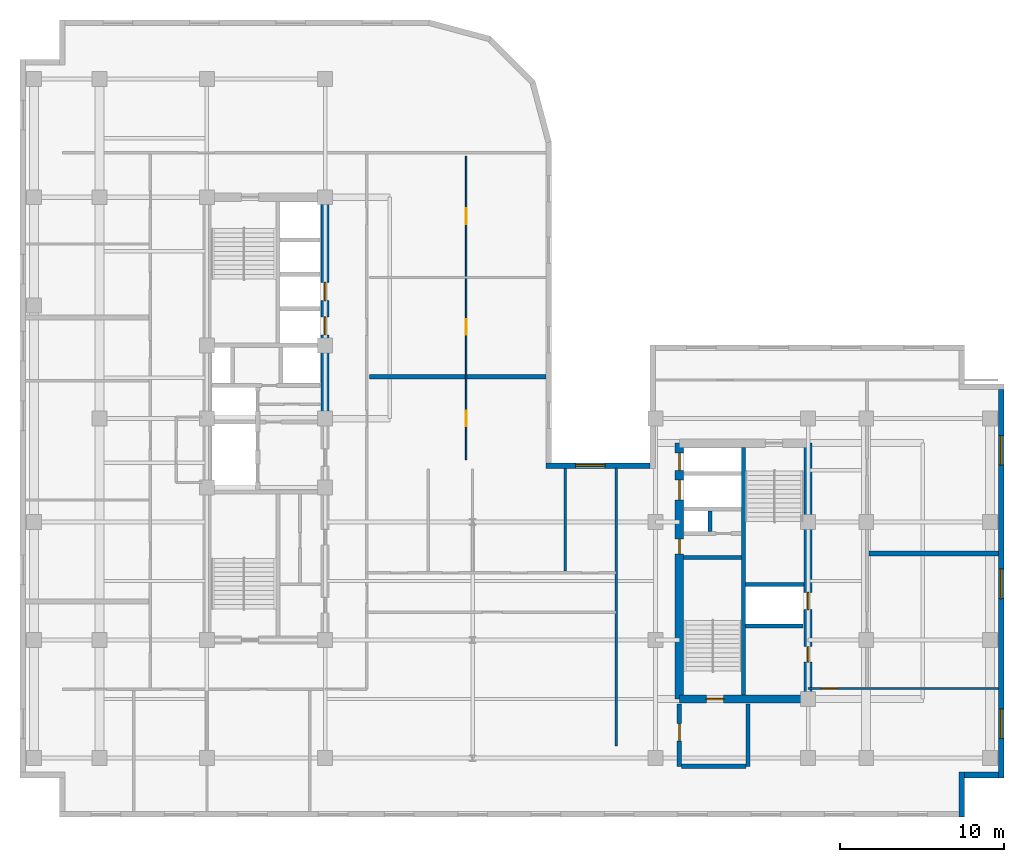
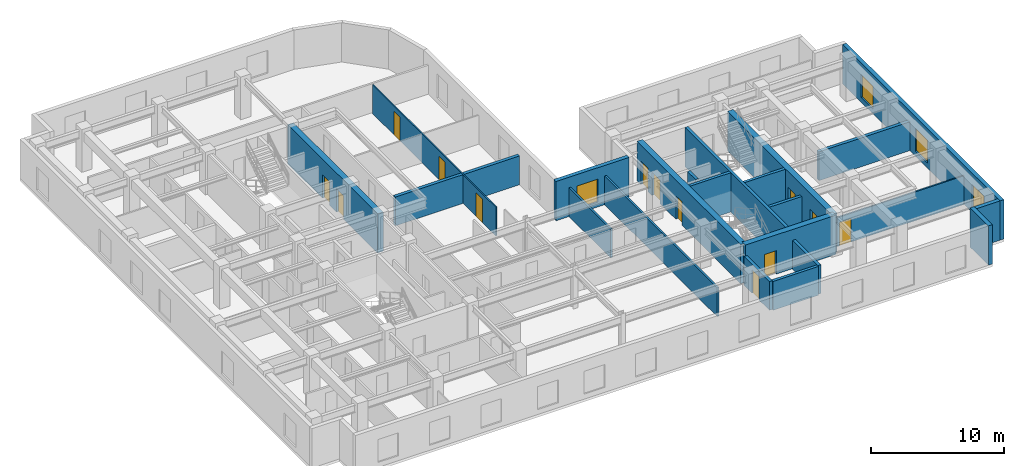
# One storey, part 6 of 11: 22 walls, 13 doors, 4 windows, 17 openings.
"""IFC4 building model written with IfcOpenShell, lengths in metres."""

from ifc_helpers import new_model, entity, si_unit, converted_unit, direction, frame, origin_with_axes, origin_2d_with_axis, place, context, subcontext, project, spatial, polyline, rectangle, outline, extrude, material, layer, layer_set, type_object, element, fill, save


model = new_model("IFC4")

# Units and contexts
model_context = context("Model", 3, precision=1e-05, world=origin_with_axes(), true_north=direction((0.0, 1.0)))
body_context = subcontext(model_context, "Body", "Model", "MODEL_VIEW")
ifc_project = project(units=[si_unit("LENGTHUNIT", "METRE"), si_unit("AREAUNIT", "SQUARE_METRE"), si_unit("VOLUMEUNIT", "CUBIC_METRE"), converted_unit("PLANEANGLEUNIT", "DEGREE", entity("IfcPlaneAngleMeasure", 0.017453292519943295), si_unit("PLANEANGLEUNIT", "RADIAN"), dimensions=[0, 0, 0, 0, 0, 0, 0]), si_unit("MASSUNIT", "GRAM", prefix="KILO"), si_unit("THERMODYNAMICTEMPERATUREUNIT", "KELVIN")], contexts=[model_context])

# Site, building, storey
site_placement = place(None, origin_with_axes())
site = spatial("IfcSite", under=ifc_project, at=site_placement, CompositionType="ELEMENT")
building_placement = place(site_placement, origin_with_axes())
building = spatial("IfcBuilding", under=site, at=building_placement, Name="Varnlund Millrace Tower", CompositionType="ELEMENT")
storey_placement = place(building_placement, frame((0.0, 0.0, 216.0), z_axis=(0.0, 0.0, 1.0), x_axis=(1.0, 0.0, 0.0)))
storey = spatial("IfcBuildingStorey", under=building, at=storey_placement, Name="L53", CompositionType="ELEMENT", Elevation=216.0)

# Wall, openings, doors
ifc_material_1 = material(Name="Concrete C70/85", Category="concrete")
ifc_layer_1 = layer(ifc_material_1, 0.5, Name="Concrete C70/85")
ifc_layer_set_1 = layer_set([ifc_layer_1], Name="Concrete C70/85")
wall_type_1 = type_object("IfcWallType", Name="Type-CoreWall-Shear-500-C70", PredefinedType="SHEAR", material=ifc_layer_set_1)
wall_1_placement = place(storey_placement, frame((18.6, 24.3, 0.0), z_axis=(0.0, 0.0, 1.0), x_axis=(0.0, 1.0, 0.0)))
wall_1 = element("IfcWall", 1, at=wall_1_placement, inside=storey, type_object=wall_type_1, Name="Type-CoreWall-Shear-500-C70", PredefinedType="SHEAR", context=body_context, shape_type="SweptSolid", body=[
    extrude(outline(polyline([(0.0, -0.25), (13.5, -0.25), (13.5, 0.25), (0.0, 0.25), (0.0, -0.25)])), origin_with_axes(), (0.0, 0.0, 1.0), 3.6),
])
opening_1_placement = place(wall_1_placement, frame((5.65, 0.0, 0.0), z_axis=(0.0, 0.0, 1.0), x_axis=(1.0, 0.0, 0.0)))
opening_1 = element("IfcOpeningElement", 2, at=opening_1_placement, cuts=wall_1, Name="Opening L53:LD-ELV-M1", PredefinedType="OPENING", context=body_context, shape_type="SweptSolid", body=[
    extrude(rectangle(XDim=1.1, YDim=0.52, at=origin_2d_with_axis()), origin_with_axes(), (0.0, 0.0, 1.0), 2.15),
])
opening_2_placement = place(wall_1_placement, frame((7.75, 0.0, 0.0), z_axis=(0.0, 0.0, 1.0), x_axis=(1.0, 0.0, 0.0)))
opening_2 = element("IfcOpeningElement", 3, at=opening_2_placement, cuts=wall_1, Name="Opening L53:LD-ELV-M2", PredefinedType="OPENING", context=body_context, shape_type="SweptSolid", body=[
    extrude(rectangle(XDim=1.1, YDim=0.52, at=origin_2d_with_axis()), origin_with_axes(), (0.0, 0.0, 1.0), 2.15),
])
ifc_material_2 = material(Name="Stainless and architectural bronze sliding landing door")
door_type_1 = type_object("IfcDoorType", Name="Type-LiftLandingDoor-1100X2150", OperationType="NOTDEFINED", PredefinedType="DOOR", material=ifc_material_2)
door_1_placement = place(wall_1_placement, frame((5.65, 0.0, 0.0), z_axis=(0.0, 0.0, 1.0), x_axis=(1.0, 0.0, 0.0)))
door_1 = element("IfcDoor", 4, at=door_1_placement, inside=storey, type_object=door_type_1, Name="Type-LiftLandingDoor-1100X2150", OperationType="SLIDING_TO_LEFT", OverallHeight=2.15, OverallWidth=1.1, PredefinedType="DOOR", context=body_context, shape_type="SweptSolid", body=[
    extrude(rectangle(XDim=1.1, YDim=0.09, at=origin_2d_with_axis()), origin_with_axes(), (0.0, 0.0, 1.0), 2.15),
])
fill(opening_1, door_1)
door_2_placement = place(wall_1_placement, frame((7.75, 0.0, 0.0), z_axis=(0.0, 0.0, 1.0), x_axis=(1.0, 0.0, 0.0)))
door_2 = element("IfcDoor", 5, at=door_2_placement, inside=storey, type_object=door_type_1, Name="Type-LiftLandingDoor-1100X2150", OperationType="SLIDING_TO_RIGHT", OverallHeight=2.15, OverallWidth=1.1, PredefinedType="DOOR", context=body_context, shape_type="SweptSolid", body=[
    extrude(rectangle(XDim=1.1, YDim=0.09, at=origin_2d_with_axis()), origin_with_axes(), (0.0, 0.0, 1.0), 2.15),
])
fill(opening_2, door_2)

wall_2_placement = place(storey_placement, frame((40.2, 7.2, 0.0), z_axis=(0.0, 0.0, 1.0), x_axis=(0.0, 1.0, 0.0)))
wall_2 = element("IfcWall", 6, at=wall_2_placement, inside=storey, type_object=wall_type_1, Name="Type-CoreWall-Shear-500-C70", PredefinedType="SHEAR", context=body_context, shape_type="SweptSolid", body=[
    extrude(outline(polyline([(0.0, -0.25), (15.6, -0.25), (15.6, 0.25), (0.0, 0.25), (0.0, -0.25)])), origin_with_axes(), (0.0, 0.0, 1.0), 3.6),
])
opening_3_placement = place(wall_2_placement, frame((14.475, 0.0, 0.0), z_axis=(0.0, 0.0, 1.0), x_axis=(1.0, 0.0, 0.0)))
opening_3 = element("IfcOpeningElement", 7, at=opening_3_placement, cuts=wall_2, Name="Opening L53:LD-ELV-M4", PredefinedType="OPENING", context=body_context, shape_type="SweptSolid", body=[
    extrude(rectangle(XDim=1.05, YDim=0.52, at=origin_2d_with_axis()), origin_with_axes(), (0.0, 0.0, 1.0), 2.15),
])
opening_4_placement = place(wall_2_placement, frame((12.75, 0.0, 0.0), z_axis=(0.0, 0.0, 1.0), x_axis=(1.0, 0.0, 0.0)))
opening_4 = element("IfcOpeningElement", 8, at=opening_4_placement, cuts=wall_2, Name="Opening L53:LD-SRV2", PredefinedType="OPENING", context=body_context, shape_type="SweptSolid", body=[
    extrude(rectangle(XDim=1.2, YDim=0.52, at=origin_2d_with_axis()), origin_with_axes(), (0.0, 0.0, 1.0), 2.15),
])
opening_5_placement = place(wall_2_placement, frame((9.3, 0.0, 0.0), z_axis=(0.0, 0.0, 1.0), x_axis=(1.0, 0.0, 0.0)))
opening_5 = element("IfcOpeningElement", 9, at=opening_5_placement, cuts=wall_2, Name="Opening L53:DR-CB-JAN", PredefinedType="OPENING", context=body_context, shape_type="SweptSolid", body=[
    extrude(rectangle(XDim=0.9, YDim=0.52, at=origin_2d_with_axis()), origin_with_axes(), (0.0, 0.0, 1.0), 2.15),
])
ifc_material_3 = material(Name="Fire-rated hollow steel service closet door", Category="steel")
door_type_2 = type_object("IfcDoorType", Name="Type-FireDoor-Closet-900X2150", OperationType="NOTDEFINED", PredefinedType="DOOR", material=ifc_material_3)
door_3_placement = place(wall_2_placement, frame((9.3, 0.0, 0.0), z_axis=(0.0, 0.0, 1.0), x_axis=(1.0, 0.0, 0.0)))
door_3 = element("IfcDoor", 10, at=door_3_placement, inside=storey, type_object=door_type_2, Name="Type-FireDoor-Closet-900X2150", OperationType="SINGLE_SWING_RIGHT", OverallHeight=2.15, OverallWidth=0.9, PredefinedType="DOOR", context=body_context, shape_type="SweptSolid", body=[
    extrude(rectangle(XDim=0.9, YDim=0.09, at=origin_2d_with_axis()), origin_with_axes(), (0.0, 0.0, 1.0), 2.15),
])
fill(opening_5, door_3)
ifc_material_4 = material(Name="Architectural bronze sliding landing door")
door_type_3 = type_object("IfcDoorType", Name="Type-LiftLandingDoor-Compact-1050X2150", OperationType="NOTDEFINED", PredefinedType="DOOR", material=ifc_material_4)
door_4_placement = place(wall_2_placement, frame((14.475, 0.0, 0.0), z_axis=(0.0, 0.0, 1.0), x_axis=(1.0, 0.0, 0.0)))
door_4 = element("IfcDoor", 11, at=door_4_placement, inside=storey, type_object=door_type_3, Name="Type-LiftLandingDoor-Compact-1050X2150", OperationType="SLIDING_TO_RIGHT", OverallHeight=2.15, OverallWidth=1.05, PredefinedType="DOOR", context=body_context, shape_type="SweptSolid", body=[
    extrude(rectangle(XDim=1.05, YDim=0.09, at=origin_2d_with_axis()), origin_with_axes(), (0.0, 0.0, 1.0), 2.15),
])
fill(opening_3, door_4)
ifc_material_5 = material(Name="Heavy-duty freight sliding landing door")
door_type_4 = type_object("IfcDoorType", Name="Type-LiftLandingDoor-Service-1200X2150", OperationType="NOTDEFINED", PredefinedType="DOOR", material=ifc_material_5)
door_5_placement = place(wall_2_placement, frame((12.75, 0.0, 0.0), z_axis=(0.0, 0.0, 1.0), x_axis=(1.0, 0.0, 0.0)))
door_5 = element("IfcDoor", 12, at=door_5_placement, inside=storey, type_object=door_type_4, Name="Type-LiftLandingDoor-Service-1200X2150", OperationType="DOUBLE_DOOR_SLIDING", OverallHeight=2.15, OverallWidth=1.2, PredefinedType="DOOR", context=body_context, shape_type="SweptSolid", body=[
    extrude(rectangle(XDim=1.2, YDim=0.09, at=origin_2d_with_axis()), origin_with_axes(), (0.0, 0.0, 1.0), 2.15),
])
fill(opening_4, door_5)

# Wall, opening, door
wall_3_placement = place(storey_placement, frame((40.2, 7.2, 0.0), z_axis=(0.0, 0.0, 1.0), x_axis=(1.0, 0.0, 0.0)))
wall_3 = element("IfcWall", 13, at=wall_3_placement, inside=storey, type_object=wall_type_1, Name="Type-CoreWall-Shear-500-C70", PredefinedType="SHEAR", context=body_context, shape_type="SweptSolid", body=[
    extrude(outline(polyline([(0.0, -0.25), (7.85, -0.25), (7.85, 0.25), (0.0, 0.25), (0.0, -0.25)])), origin_with_axes(), (0.0, 0.0, 1.0), 3.6),
])
opening_6_placement = place(wall_3_placement, frame((2.175, 0.0, 0.0), z_axis=(0.0, 0.0, 1.0), x_axis=(1.0, 0.0, 0.0)))
opening_6 = element("IfcOpeningElement", 14, at=opening_6_placement, cuts=wall_3, Name="Opening L53:DR-STB1", PredefinedType="OPENING", context=body_context, shape_type="SweptSolid", body=[
    extrude(rectangle(XDim=1.05, YDim=0.52, at=origin_2d_with_axis()), origin_with_axes(), (0.0, 0.0, 1.0), 2.15),
])
ifc_material_6 = material(Name="Fire-rated hollow steel door", Category="steel")
door_type_5 = type_object("IfcDoorType", Name="Type-FireDoor-Stair-1050X2150", OperationType="NOTDEFINED", PredefinedType="DOOR", material=ifc_material_6)
door_6_placement = place(wall_3_placement, frame((2.175, 0.0, 0.0), z_axis=(0.0, 0.0, 1.0), x_axis=(1.0, 0.0, 0.0)))
door_6 = element("IfcDoor", 15, at=door_6_placement, inside=storey, type_object=door_type_5, Name="Type-FireDoor-Stair-1050X2150", OperationType="SINGLE_SWING_LEFT", OverallHeight=2.15, OverallWidth=1.05, PredefinedType="DOOR", context=body_context, shape_type="SweptSolid", body=[
    extrude(rectangle(XDim=1.05, YDim=0.09, at=origin_2d_with_axis()), origin_with_axes(), (0.0, 0.0, 1.0), 2.15),
])
fill(opening_6, door_6)

# Wall, openings, doors
wall_4_placement = place(storey_placement, frame((48.05, 7.2, 0.0), z_axis=(0.0, 0.0, 1.0), x_axis=(0.0, 1.0, 0.0)))
wall_4 = element("IfcWall", 16, at=wall_4_placement, inside=storey, type_object=wall_type_1, Name="Type-CoreWall-Shear-500-C70", PredefinedType="SHEAR", context=body_context, shape_type="SweptSolid", body=[
    extrude(outline(polyline([(0.0, -0.25), (15.6, -0.25), (15.6, 0.25), (0.0, 0.25), (0.0, -0.25)])), origin_with_axes(), (0.0, 0.0, 1.0), 3.6),
])
opening_7_placement = place(wall_4_placement, frame((5.975, 0.0, 0.0), z_axis=(0.0, 0.0, 1.0), x_axis=(1.0, 0.0, 0.0)))
opening_7 = element("IfcOpeningElement", 17, at=opening_7_placement, cuts=wall_4, Name="Opening L53:LD-ELV-M3", PredefinedType="OPENING", context=body_context, shape_type="SweptSolid", body=[
    extrude(rectangle(XDim=1.05, YDim=0.52, at=origin_2d_with_axis()), origin_with_axes(), (0.0, 0.0, 1.0), 2.15),
])
opening_8_placement = place(wall_4_placement, frame((2.725, 0.0, 0.0), z_axis=(0.0, 0.0, 1.0), x_axis=(1.0, 0.0, 0.0)))
opening_8 = element("IfcOpeningElement", 18, at=opening_8_placement, cuts=wall_4, Name="Opening L53:DR-CB-WC", PredefinedType="OPENING", context=body_context, shape_type="SweptSolid", body=[
    extrude(rectangle(XDim=0.95, YDim=0.52, at=origin_2d_with_axis()), origin_with_axes(), (0.0, 0.0, 1.0), 2.15),
])
ifc_material_7 = material(Name="Fire-rated hollow steel core service door", Category="steel")
door_type_6 = type_object("IfcDoorType", Name="Type-FireDoor-Service-950X2150", OperationType="NOTDEFINED", PredefinedType="DOOR", material=ifc_material_7)
door_7_placement = place(wall_4_placement, frame((2.725, 0.0, 0.0), z_axis=(0.0, 0.0, 1.0), x_axis=(1.0, 0.0, 0.0)))
door_7 = element("IfcDoor", 19, at=door_7_placement, inside=storey, type_object=door_type_6, Name="Type-FireDoor-Service-950X2150", OperationType="SINGLE_SWING_LEFT", OverallHeight=2.15, OverallWidth=0.95, PredefinedType="DOOR", context=body_context, shape_type="SweptSolid", body=[
    extrude(rectangle(XDim=0.95, YDim=0.09, at=origin_2d_with_axis()), origin_with_axes(), (0.0, 0.0, 1.0), 2.15),
])
fill(opening_8, door_7)
door_8_placement = place(wall_4_placement, frame((5.975, 0.0, 0.0), z_axis=(0.0, 0.0, 1.0), x_axis=(1.0, 0.0, 0.0)))
door_8 = element("IfcDoor", 20, at=door_8_placement, inside=storey, type_object=door_type_3, Name="Type-LiftLandingDoor-Compact-1050X2150", OperationType="SLIDING_TO_LEFT", OverallHeight=2.15, OverallWidth=1.05, PredefinedType="DOOR", context=body_context, shape_type="SweptSolid", body=[
    extrude(rectangle(XDim=1.05, YDim=0.09, at=origin_2d_with_axis()), origin_with_axes(), (0.0, 0.0, 1.0), 2.15),
])
fill(opening_7, door_8)

# Wall, openings, windows
ifc_material_8 = material(Name="Precast concrete C50/60", Category="concrete")
ifc_layer_2 = layer(ifc_material_8, 0.34, Name="Precast concrete C50/60")
ifc_layer_set_2 = layer_set([ifc_layer_2], Name="Precast concrete C50/60")
wall_type_2 = type_object("IfcWallType", Name="Type-ExtWall-Precast-Upper-340", PredefinedType="SOLIDWALL", material=ifc_layer_set_2)
wall_5_placement = place(storey_placement, frame((59.83, 26.06, 0.0), z_axis=(0.0, 0.0, 1.0), x_axis=(0.0, -1.0, 0.0)))
wall_5 = element("IfcWall", 21, at=wall_5_placement, inside=storey, type_object=wall_type_2, Name="Type-ExtWall-Precast-Upper-340", PredefinedType="SOLIDWALL", context=body_context, shape_type="SweptSolid", body=[
    extrude(outline(polyline([(0.0, -0.17), (23.66, -0.17), (23.66, 0.17), (0.0, 0.17), (0.0, -0.17)])), origin_with_axes(), (0.0, 0.0, 1.0), 3.6),
])
opening_9_placement = place(wall_5_placement, frame((3.696, 0.0, 0.45), z_axis=(0.0, 0.0, 1.0), x_axis=(1.0, 0.0, 0.0)))
opening_9 = element("IfcOpeningElement", 22, at=opening_9_placement, cuts=wall_5, Name="Opening L53:WN-05", PredefinedType="OPENING", context=body_context, shape_type="SweptSolid", body=[
    extrude(rectangle(XDim=1.8, YDim=0.36, at=origin_2d_with_axis()), origin_with_axes(), (0.0, 0.0, 1.0), 2.1),
])
opening_10_placement = place(wall_5_placement, frame((11.83, 0.0, 0.45), z_axis=(0.0, 0.0, 1.0), x_axis=(1.0, 0.0, 0.0)))
opening_10 = element("IfcOpeningElement", 23, at=opening_10_placement, cuts=wall_5, Name="Opening L53:WN-06", PredefinedType="OPENING", context=body_context, shape_type="SweptSolid", body=[
    extrude(rectangle(XDim=1.8, YDim=0.36, at=origin_2d_with_axis()), origin_with_axes(), (0.0, 0.0, 1.0), 2.1),
])
opening_11_placement = place(wall_5_placement, frame((20.364, 0.0, 0.45), z_axis=(0.0, 0.0, 1.0), x_axis=(1.0, 0.0, 0.0)))
opening_11 = element("IfcOpeningElement", 24, at=opening_11_placement, cuts=wall_5, Name="Opening L53:WN-07", PredefinedType="OPENING", context=body_context, shape_type="SweptSolid", body=[
    extrude(rectangle(XDim=1.8, YDim=0.36, at=origin_2d_with_axis()), origin_with_axes(), (0.0, 0.0, 1.0), 2.1),
])
ifc_material_9 = material(Name="Argon low-e triple glazing in thermally broken bronze frame", Category="glass")
window_type = type_object("IfcWindowType", Name="Type-Window-Punched-1800X2100", PartitioningType="SINGLE_PANEL", PredefinedType="WINDOW", material=ifc_material_9)
window_1_placement = place(wall_5_placement, frame((3.696, 0.0, 0.45), z_axis=(0.0, 0.0, 1.0), x_axis=(1.0, 0.0, 0.0)))
window_1 = element("IfcWindow", 25, at=window_1_placement, inside=storey, type_object=window_type, Name="Type-Window-Punched-1800X2100", OverallHeight=2.1, OverallWidth=1.8, PredefinedType="WINDOW", context=body_context, shape_type="SweptSolid", body=[
    extrude(rectangle(XDim=1.8, YDim=0.09, at=origin_2d_with_axis()), origin_with_axes(), (0.0, 0.0, 1.0), 2.1),
])
fill(opening_9, window_1)
window_2_placement = place(wall_5_placement, frame((11.83, 0.0, 0.45), z_axis=(0.0, 0.0, 1.0), x_axis=(1.0, 0.0, 0.0)))
window_2 = element("IfcWindow", 26, at=window_2_placement, inside=storey, type_object=window_type, Name="Type-Window-Punched-1800X2100", OverallHeight=2.1, OverallWidth=1.8, PredefinedType="WINDOW", context=body_context, shape_type="SweptSolid", body=[
    extrude(rectangle(XDim=1.8, YDim=0.09, at=origin_2d_with_axis()), origin_with_axes(), (0.0, 0.0, 1.0), 2.1),
])
fill(opening_10, window_2)
window_3_placement = place(wall_5_placement, frame((20.364, 0.0, 0.45), z_axis=(0.0, 0.0, 1.0), x_axis=(1.0, 0.0, 0.0)))
window_3 = element("IfcWindow", 27, at=window_3_placement, inside=storey, type_object=window_type, Name="Type-Window-Punched-1800X2100", OverallHeight=2.1, OverallWidth=1.8, PredefinedType="WINDOW", context=body_context, shape_type="SweptSolid", body=[
    extrude(rectangle(XDim=1.8, YDim=0.09, at=origin_2d_with_axis()), origin_with_axes(), (0.0, 0.0, 1.0), 2.1),
])
fill(opening_11, window_3)

# Walls
wall_6_placement = place(storey_placement, frame((59.66, 2.57, 0.0), z_axis=(0.0, 0.0, 1.0), x_axis=(-1.0, 0.0, 0.0)))
element("IfcWall", 28, at=wall_6_placement, inside=storey, type_object=wall_type_2, Name="Type-ExtWall-Precast-Upper-340", PredefinedType="SOLIDWALL", context=body_context, shape_type="SweptSolid", body=[
    extrude(outline(polyline([(0.0, -0.17), (2.06, -0.17), (2.06, 0.17), (0.0, 0.17), (0.0, -0.17)])), origin_with_axes(), (0.0, 0.0, 1.0), 3.6),
])
wall_7_placement = place(storey_placement, frame((57.43, 2.74, 0.0), z_axis=(0.0, 0.0, 1.0), x_axis=(0.0, -1.0, 0.0)))
element("IfcWall", 29, at=wall_7_placement, inside=storey, type_object=wall_type_2, Name="Type-ExtWall-Precast-Upper-340", PredefinedType="SOLIDWALL", context=body_context, shape_type="SweptSolid", body=[
    extrude(outline(polyline([(0.0, -0.17), (2.74, -0.17), (2.74, 0.17), (0.0, 0.17), (0.0, -0.17)])), origin_with_axes(), (0.0, 0.0, 1.0), 3.6),
])

# Wall, opening, window
wall_8_placement = place(storey_placement, frame((32.06, 21.43, 0.0), z_axis=(0.0, 0.0, 1.0), x_axis=(1.0, 0.0, 0.0)))
wall_8 = element("IfcWall", 30, at=wall_8_placement, inside=storey, type_object=wall_type_2, Name="Type-ExtWall-Precast-Upper-340", PredefinedType="SOLIDWALL", context=body_context, shape_type="SweptSolid", body=[
    extrude(outline(polyline([(0.0, -0.17), (6.34, -0.17), (6.34, 0.17), (0.0, 0.17), (0.0, -0.17)])), origin_with_axes(), (0.0, 0.0, 1.0), 3.6),
])
opening_12_placement = place(wall_8_placement, frame((2.72, 0.0, 0.45), z_axis=(0.0, 0.0, 1.0), x_axis=(1.0, 0.0, 0.0)))
opening_12 = element("IfcOpeningElement", 31, at=opening_12_placement, cuts=wall_8, Name="Opening L53:WN-34", PredefinedType="OPENING", context=body_context, shape_type="SweptSolid", body=[
    extrude(rectangle(XDim=1.8, YDim=0.36, at=origin_2d_with_axis()), origin_with_axes(), (0.0, 0.0, 1.0), 2.1),
])
window_4_placement = place(wall_8_placement, frame((2.72, 0.0, 0.45), z_axis=(0.0, 0.0, 1.0), x_axis=(1.0, 0.0, 0.0)))
window_4 = element("IfcWindow", 32, at=window_4_placement, inside=storey, type_object=window_type, Name="Type-Window-Punched-1800X2100", OverallHeight=2.1, OverallWidth=1.8, PredefinedType="WINDOW", context=body_context, shape_type="SweptSolid", body=[
    extrude(rectangle(XDim=1.8, YDim=0.09, at=origin_2d_with_axis()), origin_with_axes(), (0.0, 0.0, 1.0), 2.1),
])
fill(opening_12, window_4)

# Walls
ifc_material_10 = material(Name="Double-stud STC-60 conference acoustic partition", Category="gypsum")
ifc_layer_3 = layer(ifc_material_10, 0.28, Name="Double-stud STC-60 conference acoustic partition")
ifc_layer_set_3 = layer_set([ifc_layer_3], Name="Double-stud STC-60 conference acoustic partition")
wall_type_3 = type_object("IfcWallType", Name="Type-Partition-Acoustic-280", PredefinedType="PARTITIONING", material=ifc_layer_set_3)
wall_9_placement = place(storey_placement, frame((21.3, 26.86, 0.0), z_axis=(0.0, 0.0, 1.0), x_axis=(1.0, 0.0, 0.0)))
element("IfcWall", 33, at=wall_9_placement, inside=storey, type_object=wall_type_3, Name="Type-Partition-Acoustic-280", PredefinedType="PARTITIONING", context=body_context, shape_type="SweptSolid", body=[
    extrude(outline(polyline([(0.0, -0.14), (10.765, -0.14), (10.765, 0.14), (0.0, 0.14), (0.0, -0.14)])), origin_with_axes(), (0.0, 0.0, 1.0), 2.64),
])
wall_10_placement = place(storey_placement, frame((51.77, 16.075, 0.0), z_axis=(0.0, 0.0, 1.0), x_axis=(1.0, 0.0, 0.0)))
element("IfcWall", 34, at=wall_10_placement, inside=storey, type_object=wall_type_3, Name="Type-Partition-Acoustic-280", PredefinedType="PARTITIONING", context=body_context, shape_type="SweptSolid", body=[
    extrude(outline(polyline([(0.0, -0.14), (7.895, -0.14), (7.895, 0.14), (0.0, 0.14), (0.0, -0.14)])), origin_with_axes(), (0.0, 0.0, 1.0), 2.64),
])
ifc_material_11 = material(Name="Fire-rated gypsum board on cold-formed steel framing", Category="steel")
ifc_layer_4 = layer(ifc_material_11, 0.16, Name="Fire-rated gypsum board on cold-formed steel framing")
ifc_layer_set_4 = layer_set([ifc_layer_4], Name="Fire-rated gypsum board on cold-formed steel framing")
wall_type_4 = type_object("IfcWallType", Name="Type-Partition-Corridor-160", PredefinedType="PARTITIONING", material=ifc_layer_set_4)
wall_11_placement = place(storey_placement, frame((36.35, 4.35, 0.0), z_axis=(0.0, 0.0, 1.0), x_axis=(0.0, 1.0, 0.0)))
element("IfcWall", 35, at=wall_11_placement, inside=storey, type_object=wall_type_4, Name="Type-Partition-Corridor-160", PredefinedType="PARTITIONING", context=body_context, shape_type="SweptSolid", body=[
    extrude(outline(polyline([(0.0, -0.08), (16.95, -0.08), (16.95, 0.08), (0.0, 0.08), (0.0, -0.08)])), origin_with_axes(), (0.0, 0.0, 1.0), 2.64),
])
ifc_material_12 = material(Name="Acoustic STC-50 gypsum board partition", Category="gypsum")
ifc_layer_5 = layer(ifc_material_12, 0.15, Name="Acoustic STC-50 gypsum board partition")
ifc_layer_set_5 = layer_set([ifc_layer_5], Name="Acoustic STC-50 gypsum board partition")
wall_type_5 = type_object("IfcWallType", Name="Type-Partition-Demising-150", PredefinedType="PARTITIONING", material=ifc_layer_set_5)
wall_12_placement = place(storey_placement, frame((33.258, 15.02, 0.0), z_axis=(0.0, 0.0, 1.0), x_axis=(0.0, 1.0, 0.0)))
element("IfcWall", 36, at=wall_12_placement, inside=storey, type_object=wall_type_5, Name="Type-Partition-Demising-150", PredefinedType="PARTITIONING", context=body_context, shape_type="SweptSolid", body=[
    extrude(outline(polyline([(0.0, -0.075), (6.245, -0.075), (6.245, 0.075), (0.0, 0.075), (0.0, -0.075)])), origin_with_axes(), (0.0, 0.0, 1.0), 2.64),
])

# Wall, openings, doors
ifc_material_13 = material(Name="Architectural bronze and acoustic glass office front", Category="glass")
ifc_layer_6 = layer(ifc_material_13, 0.1, Name="Architectural bronze and acoustic glass office front")
ifc_layer_set_6 = layer_set([ifc_layer_6], Name="Architectural bronze and acoustic glass office front")
wall_type_6 = type_object("IfcWallType", Name="Type-Partition-Glazed-100", PredefinedType="PARTITIONING", material=ifc_layer_set_6)
wall_13_placement = place(storey_placement, frame((27.2, 21.8, 0.0), z_axis=(0.0, 0.0, 1.0), x_axis=(0.0, 1.0, 0.0)))
wall_13 = element("IfcWall", 37, at=wall_13_placement, inside=storey, type_object=wall_type_6, Name="Type-Partition-Glazed-100", PredefinedType="PARTITIONING", context=body_context, shape_type="SweptSolid", body=[
    extrude(outline(polyline([(0.0, -0.05), (18.5, -0.05), (18.5, 0.05), (0.0, 0.05), (0.0, -0.05)])), origin_with_axes(), (0.0, 0.0, 1.0), 2.64),
])
opening_13_placement = place(wall_13_placement, frame((2.495, 0.0, 0.0), z_axis=(0.0, 0.0, 1.0), x_axis=(1.0, 0.0, 0.0)))
opening_13 = element("IfcOpeningElement", 38, at=opening_13_placement, cuts=wall_13, Name="Opening L53:DR-FLR-S01", PredefinedType="OPENING", context=body_context, shape_type="SweptSolid", body=[
    extrude(rectangle(XDim=0.95, YDim=0.12, at=origin_2d_with_axis()), origin_with_axes(), (0.0, 0.0, 1.0), 2.15),
])
opening_14_placement = place(wall_13_placement, frame((8.084, 0.0, 0.0), z_axis=(0.0, 0.0, 1.0), x_axis=(1.0, 0.0, 0.0)))
opening_14 = element("IfcOpeningElement", 39, at=opening_14_placement, cuts=wall_13, Name="Opening L53:DR-FLR-S02", PredefinedType="OPENING", context=body_context, shape_type="SweptSolid", body=[
    extrude(rectangle(XDim=0.95, YDim=0.12, at=origin_2d_with_axis()), origin_with_axes(), (0.0, 0.0, 1.0), 2.15),
])
opening_15_placement = place(wall_13_placement, frame((14.839, 0.0, 0.0), z_axis=(0.0, 0.0, 1.0), x_axis=(1.0, 0.0, 0.0)))
opening_15 = element("IfcOpeningElement", 40, at=opening_15_placement, cuts=wall_13, Name="Opening L53:DR-FLR-S03", PredefinedType="OPENING", context=body_context, shape_type="SweptSolid", body=[
    extrude(rectangle(XDim=0.95, YDim=0.12, at=origin_2d_with_axis()), origin_with_axes(), (0.0, 0.0, 1.0), 2.15),
])
ifc_material_14 = material(Name="Solid-core acoustic office door")
door_type_7 = type_object("IfcDoorType", Name="Type-IntDoor-Tenant-950X2150", OperationType="NOTDEFINED", PredefinedType="DOOR", material=ifc_material_14)
door_9_placement = place(wall_13_placement, frame((2.495, 0.0, 0.0), z_axis=(0.0, 0.0, 1.0), x_axis=(1.0, 0.0, 0.0)))
door_9 = element("IfcDoor", 41, at=door_9_placement, inside=storey, type_object=door_type_7, Name="Type-IntDoor-Tenant-950X2150", OperationType="SINGLE_SWING_LEFT", OverallHeight=2.15, OverallWidth=0.95, PredefinedType="DOOR", context=body_context, shape_type="SweptSolid", body=[
    extrude(rectangle(XDim=0.95, YDim=0.06, at=origin_2d_with_axis()), origin_with_axes(), (0.0, 0.0, 1.0), 2.15),
])
fill(opening_13, door_9)
door_10_placement = place(wall_13_placement, frame((8.084, 0.0, 0.0), z_axis=(0.0, 0.0, 1.0), x_axis=(1.0, 0.0, 0.0)))
door_10 = element("IfcDoor", 42, at=door_10_placement, inside=storey, type_object=door_type_7, Name="Type-IntDoor-Tenant-950X2150", OperationType="SINGLE_SWING_LEFT", OverallHeight=2.15, OverallWidth=0.95, PredefinedType="DOOR", context=body_context, shape_type="SweptSolid", body=[
    extrude(rectangle(XDim=0.95, YDim=0.06, at=origin_2d_with_axis()), origin_with_axes(), (0.0, 0.0, 1.0), 2.15),
])
fill(opening_14, door_10)
door_11_placement = place(wall_13_placement, frame((14.839, 0.0, 0.0), z_axis=(0.0, 0.0, 1.0), x_axis=(1.0, 0.0, 0.0)))
door_11 = element("IfcDoor", 43, at=door_11_placement, inside=storey, type_object=door_type_7, Name="Type-IntDoor-Tenant-950X2150", OperationType="SINGLE_SWING_LEFT", OverallHeight=2.15, OverallWidth=0.95, PredefinedType="DOOR", context=body_context, shape_type="SweptSolid", body=[
    extrude(rectangle(XDim=0.95, YDim=0.06, at=origin_2d_with_axis()), origin_with_axes(), (0.0, 0.0, 1.0), 2.15),
])
fill(opening_15, door_11)

# Wall, opening, door
ifc_material_15 = material(Name="Gypsum board tenant partition", Category="gypsum")
ifc_layer_7 = layer(ifc_material_15, 0.125, Name="Gypsum board tenant partition")
ifc_layer_set_7 = layer_set([ifc_layer_7], Name="Gypsum board tenant partition")
wall_type_7 = type_object("IfcWallType", Name="Type-Partition-Tenant-125", PredefinedType="PARTITIONING", material=ifc_layer_set_7)
wall_14_placement = place(storey_placement, frame((59.665, 7.85, 0.0), z_axis=(0.0, 0.0, 1.0), x_axis=(-1.0, 0.0, 0.0)))
wall_14 = element("IfcWall", 44, at=wall_14_placement, inside=storey, type_object=wall_type_7, Name="Type-Partition-Tenant-125", PredefinedType="PARTITIONING", context=body_context, shape_type="SweptSolid", body=[
    extrude(outline(polyline([(0.0, -0.0625), (11.615, -0.0625), (11.615, 0.0625), (0.0, 0.0625), (0.0, -0.0625)])), origin_with_axes(), (0.0, 0.0, 1.0), 2.64),
])
opening_16_placement = place(wall_14_placement, frame((10.315, 0.0, 0.0), z_axis=(0.0, 0.0, 1.0), x_axis=(1.0, 0.0, 0.0)))
opening_16 = element("IfcOpeningElement", 45, at=opening_16_placement, cuts=wall_14, Name="Opening L53:DR-WBS-01", PredefinedType="OPENING", context=body_context, shape_type="SweptSolid", body=[
    extrude(rectangle(XDim=1.0, YDim=0.145, at=origin_2d_with_axis()), origin_with_axes(), (0.0, 0.0, 1.0), 2.15),
])
ifc_material_16 = material(Name="Solid-core white oak and bronze frame door")
door_type_8 = type_object("IfcDoorType", Name="Type-IntDoor-Office-1000X2150", OperationType="NOTDEFINED", PredefinedType="DOOR", material=ifc_material_16)
door_12_placement = place(wall_14_placement, frame((10.315, 0.0, 0.0), z_axis=(0.0, 0.0, 1.0), x_axis=(1.0, 0.0, 0.0)))
door_12 = element("IfcDoor", 46, at=door_12_placement, inside=storey, type_object=door_type_8, Name="Type-IntDoor-Office-1000X2150", OperationType="SINGLE_SWING_LEFT", OverallHeight=2.15, OverallWidth=1.0, PredefinedType="DOOR", context=body_context, shape_type="SweptSolid", body=[
    extrude(rectangle(XDim=1.0, YDim=0.075, at=origin_2d_with_axis()), origin_with_axes(), (0.0, 0.0, 1.0), 2.15),
])
fill(opening_16, door_12)

# Wall
ifc_material_17 = material(Name="Concrete C60/75", Category="concrete")
ifc_layer_8 = layer(ifc_material_17, 0.25, Name="Concrete C60/75")
ifc_layer_set_8 = layer_set([ifc_layer_8], Name="Concrete C60/75")
wall_type_8 = type_object("IfcWallType", Name="Type-ShaftWall-Fire-250", PredefinedType="SOLIDWALL", material=ifc_layer_set_8)
wall_15_placement = place(storey_placement, frame((42.075, 17.43, 0.0), z_axis=(0.0, 0.0, 1.0), x_axis=(0.0, 1.0, 0.0)))
element("IfcWall", 47, at=wall_15_placement, inside=storey, type_object=wall_type_8, Name="Type-ShaftWall-Fire-250", PredefinedType="SOLIDWALL", context=body_context, shape_type="SweptSolid", body=[
    extrude(outline(polyline([(0.0, -0.125), (1.24, -0.125), (1.24, 0.125), (0.0, 0.125), (0.0, -0.125)])), origin_with_axes(), (0.0, 0.0, 1.0), 2.64),
])

# Wall, opening, door
wall_16_placement = place(storey_placement, frame((40.2, 3.1, 0.0), z_axis=(0.0, 0.0, 1.0), x_axis=(0.0, 1.0, 0.0)))
wall_16 = element("IfcWall", 48, at=wall_16_placement, inside=storey, type_object=wall_type_8, Name="Type-ShaftWall-Fire-250", PredefinedType="SOLIDWALL", context=body_context, shape_type="SweptSolid", body=[
    extrude(outline(polyline([(0.0, -0.125), (3.8, -0.125), (3.8, 0.125), (0.0, 0.125), (0.0, -0.125)])), origin_with_axes(), (0.0, 0.0, 1.0), 2.64),
])
opening_17_placement = place(wall_16_placement, frame((2.075, 0.0, 0.0), z_axis=(0.0, 0.0, 1.0), x_axis=(1.0, 0.0, 0.0)))
opening_17 = element("IfcOpeningElement", 49, at=opening_17_placement, cuts=wall_16, Name="Opening L53:DR-FFLOB-B", PredefinedType="OPENING", context=body_context, shape_type="SweptSolid", body=[
    extrude(rectangle(XDim=1.05, YDim=0.27, at=origin_2d_with_axis()), origin_with_axes(), (0.0, 0.0, 1.0), 2.15),
])
ifc_material_18 = material(Name="Smoke-barrier hollow steel fire door", Category="steel")
door_type_9 = type_object("IfcDoorType", Name="Type-FireDoor-Lobby-1050X2150", OperationType="NOTDEFINED", PredefinedType="DOOR", material=ifc_material_18)
door_13_placement = place(wall_16_placement, frame((2.075, 0.0, 0.0), z_axis=(0.0, 0.0, 1.0), x_axis=(1.0, 0.0, 0.0)))
door_13 = element("IfcDoor", 50, at=door_13_placement, inside=storey, type_object=door_type_9, Name="Type-FireDoor-Lobby-1050X2150", OperationType="SINGLE_SWING_LEFT", OverallHeight=2.15, OverallWidth=1.05, PredefinedType="DOOR", context=body_context, shape_type="SweptSolid", body=[
    extrude(rectangle(XDim=1.05, YDim=0.09, at=origin_2d_with_axis()), origin_with_axes(), (0.0, 0.0, 1.0), 2.15),
])
fill(opening_17, door_13)

# Walls
wall_17_placement = place(storey_placement, frame((40.325, 3.1, 0.0), z_axis=(0.0, 0.0, 1.0), x_axis=(1.0, 0.0, 0.0)))
element("IfcWall", 51, at=wall_17_placement, inside=storey, type_object=wall_type_8, Name="Type-ShaftWall-Fire-250", PredefinedType="SOLIDWALL", context=body_context, shape_type="SweptSolid", body=[
    extrude(outline(polyline([(0.0, -0.125), (3.95, -0.125), (3.95, 0.125), (0.0, 0.125), (0.0, -0.125)])), origin_with_axes(), (0.0, 0.0, 1.0), 2.64),
])
wall_18_placement = place(storey_placement, frame((44.4, 3.1, 0.0), z_axis=(0.0, 0.0, 1.0), x_axis=(0.0, 1.0, 0.0)))
element("IfcWall", 52, at=wall_18_placement, inside=storey, type_object=wall_type_8, Name="Type-ShaftWall-Fire-250", PredefinedType="SOLIDWALL", context=body_context, shape_type="SweptSolid", body=[
    extrude(outline(polyline([(0.0, -0.125), (3.8, -0.125), (3.8, 0.125), (0.0, 0.125), (0.0, -0.125)])), origin_with_axes(), (0.0, 0.0, 1.0), 2.64),
])
wall_19_placement = place(storey_placement, frame((44.25, 11.66, 0.0), z_axis=(0.0, 0.0, 1.0), x_axis=(1.0, 0.0, 0.0)))
element("IfcWall", 53, at=wall_19_placement, inside=storey, type_object=wall_type_8, Name="Type-ShaftWall-Fire-250", PredefinedType="SOLIDWALL", context=body_context, shape_type="SweptSolid", body=[
    extrude(outline(polyline([(0.0, -0.125), (3.5, -0.125), (3.5, 0.125), (0.0, 0.125), (0.0, -0.125)])), origin_with_axes(), (0.0, 0.0, 1.0), 2.64),
])
wall_type_9 = type_object("IfcWallType", Name="Type-StairWall-Shear-250", PredefinedType="SHEAR", material=ifc_layer_set_8)
wall_20_placement = place(storey_placement, frame((44.125, 7.45, 0.0), z_axis=(0.0, 0.0, 1.0), x_axis=(0.0, 1.0, 0.0)))
element("IfcWall", 54, at=wall_20_placement, inside=storey, type_object=wall_type_9, Name="Type-StairWall-Shear-250", PredefinedType="SHEAR", context=body_context, shape_type="SweptSolid", body=[
    extrude(outline(polyline([(0.0, -0.125), (15.1, -0.125), (15.1, 0.125), (0.0, 0.125), (0.0, -0.125)])), origin_with_axes(), (0.0, 0.0, 1.0), 3.6),
])
for number, where, z_axis, x_axis, name in (
    (55, (40.45, 15.825, 0.0), (0.0, 0.0, 1.0), (1.0, 0.0, 0.0), "Type-StairWall-Shear-250"),
    (56, (44.25, 14.175, 0.0), (0.0, 0.0, 1.0), (1.0, 0.0, 0.0), "Type-StairWall-Shear-250"),
):
    element("IfcWall", number, at=place(storey_placement, frame(where, z_axis=z_axis, x_axis=x_axis)), inside=storey, type_object=wall_type_9, Name=name, PredefinedType="SHEAR", context=body_context, shape_type="SweptSolid", body=[
        extrude(outline(polyline([(0.0, -0.125), (3.55, -0.125), (3.55, 0.125), (0.0, 0.125), (0.0, -0.125)])), origin_with_axes(), (0.0, 0.0, 1.0), 3.6),
    ])

save(model, "model.ifc")
